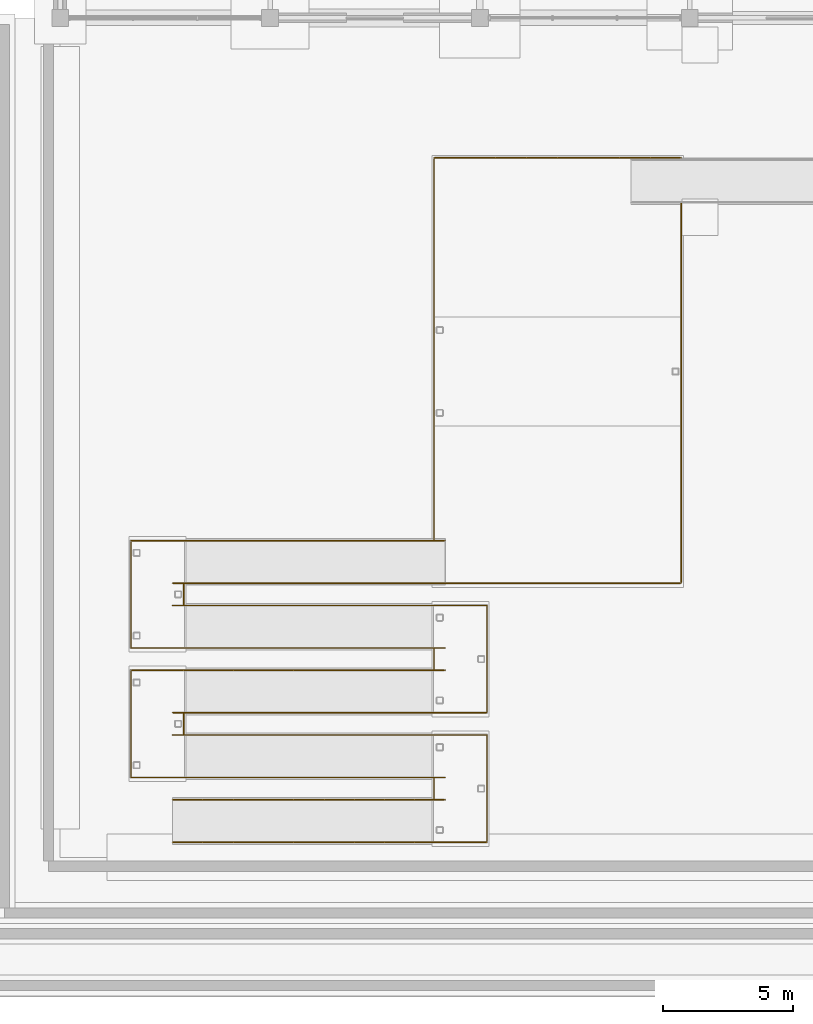
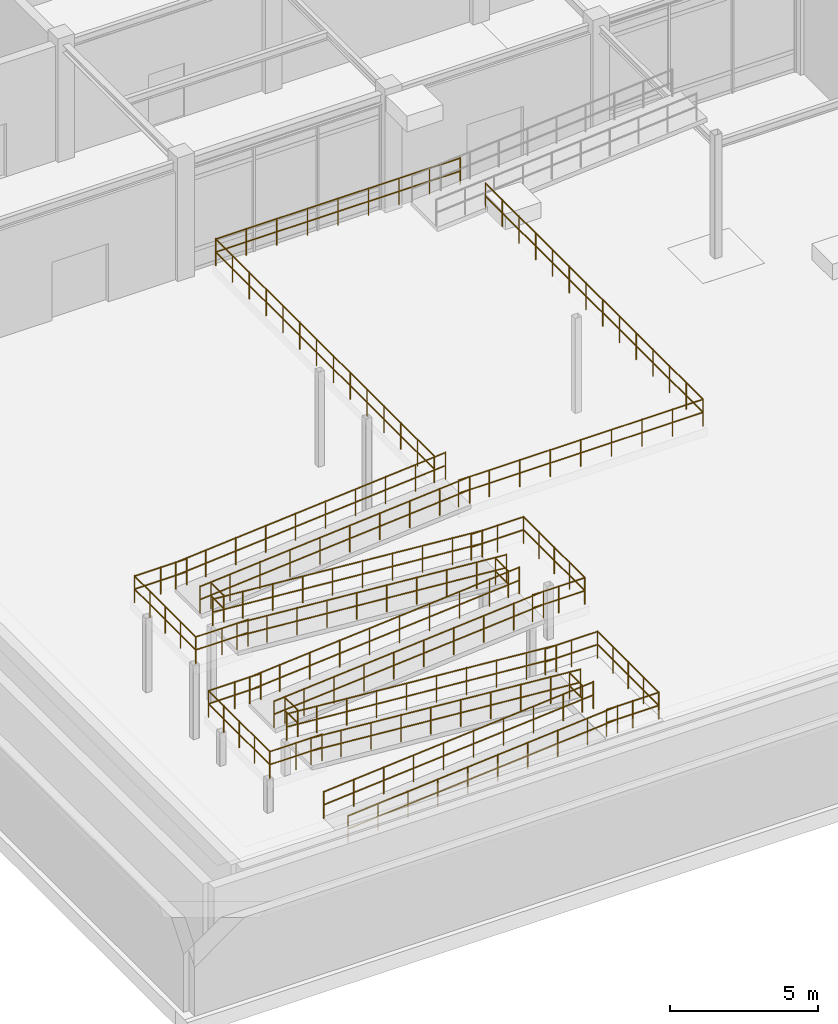
# One storey, part 58 of 67: 20 railings.
"""IFC4 building model written with IfcOpenShell, lengths in metres."""

from ifc_helpers import new_model, si_unit, direction, frame, origin, origin_2d, place, context, subcontext, project, spatial, circle, extrude, material, type_object, element, save


model = new_model("IFC4")

# Units and contexts
model_context = context("Model", 3, precision=1e-05, world=origin(), true_north=direction((0.0, 1.0)))
body_context = subcontext(model_context, "Body", "Model", "MODEL_VIEW")
ifc_project = project(units=[si_unit("LENGTHUNIT", "METRE"), si_unit("AREAUNIT", "SQUARE_METRE"), si_unit("VOLUMEUNIT", "CUBIC_METRE"), si_unit("PLANEANGLEUNIT", "RADIAN"), si_unit("MASSUNIT", "GRAM", prefix="KILO")], contexts=[model_context])

# Site, building, storey
site_placement = place(None, origin())
site = spatial("IfcSite", under=ifc_project, at=site_placement, CompositionType="ELEMENT")
building_placement = place(site_placement, origin())
building = spatial("IfcBuilding", under=site, at=building_placement, Name="Vaudrelin Polytechnic", CompositionType="ELEMENT")
storey_placement = place(building_placement, frame((0.0, 0.0, -5.10009765625)))
storey = spatial("IfcBuildingStorey", under=building, at=storey_placement, Name="B1", CompositionType="ELEMENT", Elevation=-5.10009765625)

# Railings
ifc_material = material(Name="Stainless steel AISI 316L", Category="steel")
railing_type = type_object("IfcRailingType", Name="ENV-GR-TER", PredefinedType="GUARDRAIL", material=ifc_material)
railing_1_placement = place(storey_placement, frame((14.429931640625, 0.580078125, 0.85009765625)))
element("IfcRailing", 1, at=railing_1_placement, inside=storey, type_object=railing_type, Name="Forecourt ramp landing 1 outer guardrail", PredefinedType="GUARDRAIL", context=body_context, shape_type="SweptSolid", body=[
    extrude(circle(Radius=0.02392578125, at=origin_2d()), frame((0.023193359375, 0.0, 1.09619140625), z_axis=(1.0, 0.0, 0.0), x_axis=(0.0, 1.0, 0.0)), (0.0, 0.0, 1.0), 1.993896484375),
    extrude(circle(Radius=0.02392578125, at=origin_2d()), frame((0.023193359375, 0.0, 0.56005859375), z_axis=(1.0, 0.0, 0.0), x_axis=(0.0, 1.0, 0.0)), (0.0, 0.0, 1.0), 1.993896484375),
    extrude(circle(Radius=0.02392578125, at=origin_2d()), frame((2.0400390625, 0.023193359375, 1.09619140625), z_axis=(0.0, 1.0, 0.0), x_axis=(-1.0, 0.0, 0.0)), (0.0, 0.0, 1.0), 4.09375),
    extrude(circle(Radius=0.02392578125, at=origin_2d()), frame((2.0400390625, 0.023193359375, 0.56005859375), z_axis=(0.0, 1.0, 0.0), x_axis=(-1.0, 0.0, 0.0)), (0.0, 0.0, 1.0), 4.09375),
    extrude(circle(Radius=0.02392578125, at=origin_2d()), frame((2.016845703125, 4.139892578125, 1.09619140625), z_axis=(-1.0, 0.0, 0.0), x_axis=(0.0, -1.0, 0.0)), (0.0, 0.0, 1.0), 1.993896484375),
    extrude(circle(Radius=0.02392578125, at=origin_2d()), frame((2.016845703125, 4.139892578125, 0.56005859375), z_axis=(-1.0, 0.0, 0.0), x_axis=(0.0, -1.0, 0.0)), (0.0, 0.0, 1.0), 1.993896484375),
    extrude(circle(Radius=0.02099609375, at=origin_2d()), origin(), (0.0, 0.0, 1.0), 1.1201171875),
    extrude(circle(Radius=0.02099609375, at=origin_2d()), frame((1.02001953125, 0.0, 0.0)), (0.0, 0.0, 1.0), 1.1201171875),
    extrude(circle(Radius=0.02099609375, at=origin_2d()), frame((2.0400390625, 0.0, 0.0)), (0.0, 0.0, 1.0), 1.1201171875),
    extrude(circle(Radius=0.02099609375, at=origin_2d()), frame((2.0400390625, 1.034912109375, 0.0)), (0.0, 0.0, 1.0), 1.1201171875),
    extrude(circle(Radius=0.02099609375, at=origin_2d()), frame((2.0400390625, 2.06982421875, 0.0)), (0.0, 0.0, 1.0), 1.1201171875),
    extrude(circle(Radius=0.02099609375, at=origin_2d()), frame((2.0400390625, 3.10498046875, 0.0)), (0.0, 0.0, 1.0), 1.1201171875),
    extrude(circle(Radius=0.02099609375, at=origin_2d()), frame((2.0400390625, 4.139892578125, 0.0)), (0.0, 0.0, 1.0), 1.1201171875),
    extrude(circle(Radius=0.02099609375, at=origin_2d()), frame((1.02001953125, 4.139892578125, 0.0)), (0.0, 0.0, 1.0), 1.1201171875),
    extrude(circle(Radius=0.02099609375, at=origin_2d()), frame((0.0, 4.139892578125, 0.0)), (0.0, 0.0, 1.0), 1.1201171875),
])
railing_2_placement = place(storey_placement, frame((14.429931640625, 2.219970703125, 0.85009765625)))
element("IfcRailing", 2, at=railing_2_placement, inside=storey, type_object=railing_type, Name="Forecourt ramp landing 1 turnaround guardrail", PredefinedType="GUARDRAIL", context=body_context, shape_type="SweptSolid", body=[
    extrude(circle(Radius=0.02392578125, at=origin_2d()), frame((0.0, 0.023193359375, 1.09619140625), z_axis=(0.0, 1.0, 0.0), x_axis=(-1.0, 0.0, 0.0)), (0.0, 0.0, 1.0), 0.81396484375),
    extrude(circle(Radius=0.02392578125, at=origin_2d()), frame((0.0, 0.023193359375, 0.56005859375), z_axis=(0.0, 1.0, 0.0), x_axis=(-1.0, 0.0, 0.0)), (0.0, 0.0, 1.0), 0.81396484375),
    extrude(circle(Radius=0.02099609375, at=origin_2d()), origin(), (0.0, 0.0, 1.0), 1.1201171875),
    extrude(circle(Radius=0.02099609375, at=origin_2d()), frame((0.0, 0.860107421875, 0.0)), (0.0, 0.0, 1.0), 1.1201171875),
])
for number, where, name in (
    (3, (4.340087890625, 0.580078125, 0.0), "Forecourt ramp flight 1 south guardrail"),
    (4, (4.340087890625, 2.219970703125, 0.0), "Forecourt ramp flight 1 north guardrail"),
):
    element("IfcRailing", number, at=place(storey_placement, frame(where)), inside=storey, type_object=railing_type, Name=name, PredefinedType="GUARDRAIL", context=body_context, shape_type="SweptSolid", body=[
        extrude(circle(Radius=0.02392578125, at=origin_2d()), frame((0.02294921875, 0.0, 1.097900390625), z_axis=(0.99675096811, 0.0, 0.080545065467), x_axis=(0.0, 1.0, 0.0)), (0.0, 0.0, 1.0), 10.508056640625),
        extrude(circle(Radius=0.02392578125, at=origin_2d()), frame((0.02294921875, 0.0, 0.56201171875), z_axis=(0.99675096811, 0.0, 0.080545065467), x_axis=(0.0, 1.0, 0.0)), (0.0, 0.0, 1.0), 10.508056640625),
        extrude(circle(Radius=0.02099609375, at=origin_2d()), origin(), (0.0, 0.0, 1.0), 1.1201171875),
        extrude(circle(Radius=0.02099609375, at=origin_2d()), frame((1.1689453125, 0.0, 0.094482421875)), (0.0, 0.0, 1.0), 1.1201171875),
        extrude(circle(Radius=0.02099609375, at=origin_2d()), frame((2.337890625, 0.0, 0.18896484375)), (0.0, 0.0, 1.0), 1.1201171875),
        extrude(circle(Radius=0.02099609375, at=origin_2d()), frame((3.506591796875, 0.0, 0.283447265625)), (0.0, 0.0, 1.0), 1.1201171875),
        extrude(circle(Radius=0.02099609375, at=origin_2d()), frame((4.675537109375, 0.0, 0.3779296875)), (0.0, 0.0, 1.0), 1.1201171875),
        extrude(circle(Radius=0.02099609375, at=origin_2d()), frame((5.844482421875, 0.0, 0.47216796875)), (0.0, 0.0, 1.0), 1.1201171875),
        extrude(circle(Radius=0.02099609375, at=origin_2d()), frame((7.013427734375, 0.0, 0.566650390625)), (0.0, 0.0, 1.0), 1.1201171875),
        extrude(circle(Radius=0.02099609375, at=origin_2d()), frame((8.18212890625, 0.0, 0.6611328125)), (0.0, 0.0, 1.0), 1.1201171875),
        extrude(circle(Radius=0.02099609375, at=origin_2d()), frame((9.35107421875, 0.0, 0.755615234375)), (0.0, 0.0, 1.0), 1.1201171875),
        extrude(circle(Radius=0.02099609375, at=origin_2d()), frame((10.52001953125, 0.0, 0.85009765625)), (0.0, 0.0, 1.0), 1.1201171875),
    ])
railing_3_placement = place(storey_placement, frame((4.77001953125, 3.080078125, 1.7001953125)))
element("IfcRailing", 5, at=railing_3_placement, inside=storey, type_object=railing_type, Name="Forecourt ramp landing 2 outer guardrail", PredefinedType="GUARDRAIL", context=body_context, shape_type="SweptSolid", body=[
    extrude(circle(Radius=0.02392578125, at=origin_2d()), frame((-0.023193359375, 0.0, 1.09619140625), z_axis=(-1.0, 0.0, 0.0), x_axis=(0.0, -1.0, 0.0)), (0.0, 0.0, 1.0), 1.993896484375),
    extrude(circle(Radius=0.02392578125, at=origin_2d()), frame((-0.023193359375, 0.0, 0.56005859375), z_axis=(-1.0, 0.0, 0.0), x_axis=(0.0, -1.0, 0.0)), (0.0, 0.0, 1.0), 1.993896484375),
    extrude(circle(Radius=0.02392578125, at=origin_2d()), frame((-2.0400390625, 0.023193359375, 1.09619140625), z_axis=(0.0, 1.0, 0.0), x_axis=(-1.0, 0.0, 0.0)), (0.0, 0.0, 1.0), 4.09375),
    extrude(circle(Radius=0.02392578125, at=origin_2d()), frame((-2.0400390625, 0.023193359375, 0.56005859375), z_axis=(0.0, 1.0, 0.0), x_axis=(-1.0, 0.0, 0.0)), (0.0, 0.0, 1.0), 4.09375),
    extrude(circle(Radius=0.02392578125, at=origin_2d()), frame((-2.016845703125, 4.139892578125, 1.09619140625), z_axis=(1.0, 0.0, 0.0), x_axis=(0.0, 1.0, 0.0)), (0.0, 0.0, 1.0), 1.993896484375),
    extrude(circle(Radius=0.02392578125, at=origin_2d()), frame((-2.016845703125, 4.139892578125, 0.56005859375), z_axis=(1.0, 0.0, 0.0), x_axis=(0.0, 1.0, 0.0)), (0.0, 0.0, 1.0), 1.993896484375),
    extrude(circle(Radius=0.02099609375, at=origin_2d()), origin(), (0.0, 0.0, 1.0), 1.1201171875),
    extrude(circle(Radius=0.02099609375, at=origin_2d()), frame((-1.02001953125, 0.0, 0.0)), (0.0, 0.0, 1.0), 1.1201171875),
    extrude(circle(Radius=0.02099609375, at=origin_2d()), frame((-2.0400390625, 0.0, 0.0)), (0.0, 0.0, 1.0), 1.1201171875),
    extrude(circle(Radius=0.02099609375, at=origin_2d()), frame((-2.0400390625, 1.034912109375, 0.0)), (0.0, 0.0, 1.0), 1.1201171875),
    extrude(circle(Radius=0.02099609375, at=origin_2d()), frame((-2.0400390625, 2.06982421875, 0.0)), (0.0, 0.0, 1.0), 1.1201171875),
    extrude(circle(Radius=0.02099609375, at=origin_2d()), frame((-2.0400390625, 3.10498046875, 0.0)), (0.0, 0.0, 1.0), 1.1201171875),
    extrude(circle(Radius=0.02099609375, at=origin_2d()), frame((-2.0400390625, 4.139892578125, 0.0)), (0.0, 0.0, 1.0), 1.1201171875),
    extrude(circle(Radius=0.02099609375, at=origin_2d()), frame((-1.02001953125, 4.139892578125, 0.0)), (0.0, 0.0, 1.0), 1.1201171875),
    extrude(circle(Radius=0.02099609375, at=origin_2d()), frame((0.0, 4.139892578125, 0.0)), (0.0, 0.0, 1.0), 1.1201171875),
])
railing_4_placement = place(storey_placement, frame((4.77001953125, 4.719970703125, 1.7001953125)))
element("IfcRailing", 6, at=railing_4_placement, inside=storey, type_object=railing_type, Name="Forecourt ramp landing 2 turnaround guardrail", PredefinedType="GUARDRAIL", context=body_context, shape_type="SweptSolid", body=[
    extrude(circle(Radius=0.02392578125, at=origin_2d()), frame((0.0, 0.023193359375, 1.09619140625), z_axis=(0.0, 1.0, 0.0), x_axis=(-1.0, 0.0, 0.0)), (0.0, 0.0, 1.0), 0.81396484375),
    extrude(circle(Radius=0.02392578125, at=origin_2d()), frame((0.0, 0.023193359375, 0.56005859375), z_axis=(0.0, 1.0, 0.0), x_axis=(-1.0, 0.0, 0.0)), (0.0, 0.0, 1.0), 0.81396484375),
    extrude(circle(Radius=0.02099609375, at=origin_2d()), origin(), (0.0, 0.0, 1.0), 1.1201171875),
    extrude(circle(Radius=0.02099609375, at=origin_2d()), frame((0.0, 0.860107421875, 0.0)), (0.0, 0.0, 1.0), 1.1201171875),
])
for number, where, name in (
    (7, (14.860107421875, 3.080078125, 0.85009765625), "Forecourt ramp flight 2 south guardrail"),
    (8, (14.860107421875, 4.719970703125, 0.85009765625), "Forecourt ramp flight 2 north guardrail"),
):
    element("IfcRailing", number, at=place(storey_placement, frame(where)), inside=storey, type_object=railing_type, Name=name, PredefinedType="GUARDRAIL", context=body_context, shape_type="SweptSolid", body=[
        extrude(circle(Radius=0.02392578125, at=origin_2d()), frame((-0.02294921875, 0.0, 1.097900390625), z_axis=(-0.99675096811, 0.0, 0.080545065467), x_axis=(0.0, -1.0, 0.0)), (0.0, 0.0, 1.0), 10.508056640625),
        extrude(circle(Radius=0.02392578125, at=origin_2d()), frame((-0.02294921875, 0.0, 0.56201171875), z_axis=(-0.99675096811, 0.0, 0.080545065467), x_axis=(0.0, -1.0, 0.0)), (0.0, 0.0, 1.0), 10.508056640625),
        extrude(circle(Radius=0.02099609375, at=origin_2d()), origin(), (0.0, 0.0, 1.0), 1.1201171875),
        extrude(circle(Radius=0.02099609375, at=origin_2d()), frame((-1.1689453125, 0.0, 0.094482421875)), (0.0, 0.0, 1.0), 1.1201171875),
        extrude(circle(Radius=0.02099609375, at=origin_2d()), frame((-2.337890625, 0.0, 0.18896484375)), (0.0, 0.0, 1.0), 1.1201171875),
        extrude(circle(Radius=0.02099609375, at=origin_2d()), frame((-3.506591796875, 0.0, 0.283447265625)), (0.0, 0.0, 1.0), 1.1201171875),
        extrude(circle(Radius=0.02099609375, at=origin_2d()), frame((-4.675537109375, 0.0, 0.3779296875)), (0.0, 0.0, 1.0), 1.1201171875),
        extrude(circle(Radius=0.02099609375, at=origin_2d()), frame((-5.844482421875, 0.0, 0.47216796875)), (0.0, 0.0, 1.0), 1.1201171875),
        extrude(circle(Radius=0.02099609375, at=origin_2d()), frame((-7.013427734375, 0.0, 0.566650390625)), (0.0, 0.0, 1.0), 1.1201171875),
        extrude(circle(Radius=0.02099609375, at=origin_2d()), frame((-8.18212890625, 0.0, 0.6611328125)), (0.0, 0.0, 1.0), 1.1201171875),
        extrude(circle(Radius=0.02099609375, at=origin_2d()), frame((-9.35107421875, 0.0, 0.755615234375)), (0.0, 0.0, 1.0), 1.1201171875),
        extrude(circle(Radius=0.02099609375, at=origin_2d()), frame((-10.52001953125, 0.0, 0.85009765625)), (0.0, 0.0, 1.0), 1.1201171875),
    ])
railing_5_placement = place(storey_placement, frame((14.429931640625, 5.580078125, 2.550048828125)))
element("IfcRailing", 9, at=railing_5_placement, inside=storey, type_object=railing_type, Name="Forecourt ramp landing 3 outer guardrail", PredefinedType="GUARDRAIL", context=body_context, shape_type="SweptSolid", body=[
    extrude(circle(Radius=0.02392578125, at=origin_2d()), frame((0.023193359375, 0.0, 1.09619140625), z_axis=(1.0, 0.0, 0.0), x_axis=(0.0, 1.0, 0.0)), (0.0, 0.0, 1.0), 1.993896484375),
    extrude(circle(Radius=0.02392578125, at=origin_2d()), frame((0.023193359375, 0.0, 0.56005859375), z_axis=(1.0, 0.0, 0.0), x_axis=(0.0, 1.0, 0.0)), (0.0, 0.0, 1.0), 1.993896484375),
    extrude(circle(Radius=0.02392578125, at=origin_2d()), frame((2.0400390625, 0.023193359375, 1.09619140625), z_axis=(0.0, 1.0, 0.0), x_axis=(-1.0, 0.0, 0.0)), (0.0, 0.0, 1.0), 4.09375),
    extrude(circle(Radius=0.02392578125, at=origin_2d()), frame((2.0400390625, 0.023193359375, 0.56005859375), z_axis=(0.0, 1.0, 0.0), x_axis=(-1.0, 0.0, 0.0)), (0.0, 0.0, 1.0), 4.09375),
    extrude(circle(Radius=0.02392578125, at=origin_2d()), frame((2.016845703125, 4.139892578125, 1.09619140625), z_axis=(-1.0, 0.0, 0.0), x_axis=(0.0, -1.0, 0.0)), (0.0, 0.0, 1.0), 1.993896484375),
    extrude(circle(Radius=0.02392578125, at=origin_2d()), frame((2.016845703125, 4.139892578125, 0.56005859375), z_axis=(-1.0, 0.0, 0.0), x_axis=(0.0, -1.0, 0.0)), (0.0, 0.0, 1.0), 1.993896484375),
    extrude(circle(Radius=0.02099609375, at=origin_2d()), origin(), (0.0, 0.0, 1.0), 1.1201171875),
    extrude(circle(Radius=0.02099609375, at=origin_2d()), frame((1.02001953125, 0.0, 0.0)), (0.0, 0.0, 1.0), 1.1201171875),
    extrude(circle(Radius=0.02099609375, at=origin_2d()), frame((2.0400390625, 0.0, 0.0)), (0.0, 0.0, 1.0), 1.1201171875),
    extrude(circle(Radius=0.02099609375, at=origin_2d()), frame((2.0400390625, 1.034912109375, 0.0)), (0.0, 0.0, 1.0), 1.1201171875),
    extrude(circle(Radius=0.02099609375, at=origin_2d()), frame((2.0400390625, 2.06982421875, 0.0)), (0.0, 0.0, 1.0), 1.1201171875),
    extrude(circle(Radius=0.02099609375, at=origin_2d()), frame((2.0400390625, 3.10498046875, 0.0)), (0.0, 0.0, 1.0), 1.1201171875),
    extrude(circle(Radius=0.02099609375, at=origin_2d()), frame((2.0400390625, 4.139892578125, 0.0)), (0.0, 0.0, 1.0), 1.1201171875),
    extrude(circle(Radius=0.02099609375, at=origin_2d()), frame((1.02001953125, 4.139892578125, 0.0)), (0.0, 0.0, 1.0), 1.1201171875),
    extrude(circle(Radius=0.02099609375, at=origin_2d()), frame((0.0, 4.139892578125, 0.0)), (0.0, 0.0, 1.0), 1.1201171875),
])
railing_6_placement = place(storey_placement, frame((14.429931640625, 7.219970703125, 2.550048828125)))
element("IfcRailing", 10, at=railing_6_placement, inside=storey, type_object=railing_type, Name="Forecourt ramp landing 3 turnaround guardrail", PredefinedType="GUARDRAIL", context=body_context, shape_type="SweptSolid", body=[
    extrude(circle(Radius=0.02392578125, at=origin_2d()), frame((0.0, 0.023193359375, 1.09619140625), z_axis=(0.0, 1.0, 0.0), x_axis=(-1.0, 0.0, 0.0)), (0.0, 0.0, 1.0), 0.81396484375),
    extrude(circle(Radius=0.02392578125, at=origin_2d()), frame((0.0, 0.023193359375, 0.56005859375), z_axis=(0.0, 1.0, 0.0), x_axis=(-1.0, 0.0, 0.0)), (0.0, 0.0, 1.0), 0.81396484375),
    extrude(circle(Radius=0.02099609375, at=origin_2d()), origin(), (0.0, 0.0, 1.0), 1.1201171875),
    extrude(circle(Radius=0.02099609375, at=origin_2d()), frame((0.0, 0.860107421875, 0.0)), (0.0, 0.0, 1.0), 1.1201171875),
])
for number, where, name in (
    (11, (4.340087890625, 5.580078125, 1.7001953125), "Forecourt ramp flight 3 south guardrail"),
    (12, (4.340087890625, 7.219970703125, 1.7001953125), "Forecourt ramp flight 3 north guardrail"),
):
    element("IfcRailing", number, at=place(storey_placement, frame(where)), inside=storey, type_object=railing_type, Name=name, PredefinedType="GUARDRAIL", context=body_context, shape_type="SweptSolid", body=[
        extrude(circle(Radius=0.02392578125, at=origin_2d()), frame((0.02294921875, 0.0, 1.097900390625), z_axis=(0.996752824951, 0.0, 0.080522083631), x_axis=(0.0, 1.0, 0.0)), (0.0, 0.0, 1.0), 10.508056640625),
        extrude(circle(Radius=0.02392578125, at=origin_2d()), frame((0.02294921875, 0.0, 0.56201171875), z_axis=(0.996752824951, 0.0, 0.080522083631), x_axis=(0.0, 1.0, 0.0)), (0.0, 0.0, 1.0), 10.508056640625),
        extrude(circle(Radius=0.02099609375, at=origin_2d()), origin(), (0.0, 0.0, 1.0), 1.1201171875),
        extrude(circle(Radius=0.02099609375, at=origin_2d()), frame((1.1689453125, 0.0, 0.094482421875)), (0.0, 0.0, 1.0), 1.1201171875),
        extrude(circle(Radius=0.02099609375, at=origin_2d()), frame((2.337890625, 0.0, 0.18896484375)), (0.0, 0.0, 1.0), 1.1201171875),
        extrude(circle(Radius=0.02099609375, at=origin_2d()), frame((3.506591796875, 0.0, 0.283203125)), (0.0, 0.0, 1.0), 1.1201171875),
        extrude(circle(Radius=0.02099609375, at=origin_2d()), frame((4.675537109375, 0.0, 0.377685546875)), (0.0, 0.0, 1.0), 1.1201171875),
        extrude(circle(Radius=0.02099609375, at=origin_2d()), frame((5.844482421875, 0.0, 0.47216796875)), (0.0, 0.0, 1.0), 1.1201171875),
        extrude(circle(Radius=0.02099609375, at=origin_2d()), frame((7.013427734375, 0.0, 0.566650390625)), (0.0, 0.0, 1.0), 1.1201171875),
        extrude(circle(Radius=0.02099609375, at=origin_2d()), frame((8.18212890625, 0.0, 0.660888671875)), (0.0, 0.0, 1.0), 1.1201171875),
        extrude(circle(Radius=0.02099609375, at=origin_2d()), frame((9.35107421875, 0.0, 0.75537109375)), (0.0, 0.0, 1.0), 1.1201171875),
        extrude(circle(Radius=0.02099609375, at=origin_2d()), frame((10.52001953125, 0.0, 0.849853515625)), (0.0, 0.0, 1.0), 1.1201171875),
    ])
railing_7_placement = place(storey_placement, frame((4.77001953125, 8.080078125, 3.400146484375)))
element("IfcRailing", 13, at=railing_7_placement, inside=storey, type_object=railing_type, Name="Forecourt ramp landing 4 outer guardrail", PredefinedType="GUARDRAIL", context=body_context, shape_type="SweptSolid", body=[
    extrude(circle(Radius=0.02392578125, at=origin_2d()), frame((-0.023193359375, 0.0, 1.09619140625), z_axis=(-1.0, 0.0, 0.0), x_axis=(0.0, -1.0, 0.0)), (0.0, 0.0, 1.0), 1.993896484375),
    extrude(circle(Radius=0.02392578125, at=origin_2d()), frame((-0.023193359375, 0.0, 0.56005859375), z_axis=(-1.0, 0.0, 0.0), x_axis=(0.0, -1.0, 0.0)), (0.0, 0.0, 1.0), 1.993896484375),
    extrude(circle(Radius=0.02392578125, at=origin_2d()), frame((-2.0400390625, 0.023193359375, 1.09619140625), z_axis=(0.0, 1.0, 0.0), x_axis=(-1.0, 0.0, 0.0)), (0.0, 0.0, 1.0), 4.09375),
    extrude(circle(Radius=0.02392578125, at=origin_2d()), frame((-2.0400390625, 0.023193359375, 0.56005859375), z_axis=(0.0, 1.0, 0.0), x_axis=(-1.0, 0.0, 0.0)), (0.0, 0.0, 1.0), 4.09375),
    extrude(circle(Radius=0.02392578125, at=origin_2d()), frame((-2.016845703125, 4.139892578125, 1.09619140625), z_axis=(1.0, 0.0, 0.0), x_axis=(0.0, 1.0, 0.0)), (0.0, 0.0, 1.0), 1.993896484375),
    extrude(circle(Radius=0.02392578125, at=origin_2d()), frame((-2.016845703125, 4.139892578125, 0.56005859375), z_axis=(1.0, 0.0, 0.0), x_axis=(0.0, 1.0, 0.0)), (0.0, 0.0, 1.0), 1.993896484375),
    extrude(circle(Radius=0.02099609375, at=origin_2d()), origin(), (0.0, 0.0, 1.0), 1.1201171875),
    extrude(circle(Radius=0.02099609375, at=origin_2d()), frame((-1.02001953125, 0.0, 0.0)), (0.0, 0.0, 1.0), 1.1201171875),
    extrude(circle(Radius=0.02099609375, at=origin_2d()), frame((-2.0400390625, 0.0, 0.0)), (0.0, 0.0, 1.0), 1.1201171875),
    extrude(circle(Radius=0.02099609375, at=origin_2d()), frame((-2.0400390625, 1.034912109375, 0.0)), (0.0, 0.0, 1.0), 1.1201171875),
    extrude(circle(Radius=0.02099609375, at=origin_2d()), frame((-2.0400390625, 2.06982421875, 0.0)), (0.0, 0.0, 1.0), 1.1201171875),
    extrude(circle(Radius=0.02099609375, at=origin_2d()), frame((-2.0400390625, 3.10498046875, 0.0)), (0.0, 0.0, 1.0), 1.1201171875),
    extrude(circle(Radius=0.02099609375, at=origin_2d()), frame((-2.0400390625, 4.139892578125, 0.0)), (0.0, 0.0, 1.0), 1.1201171875),
    extrude(circle(Radius=0.02099609375, at=origin_2d()), frame((-1.02001953125, 4.139892578125, 0.0)), (0.0, 0.0, 1.0), 1.1201171875),
    extrude(circle(Radius=0.02099609375, at=origin_2d()), frame((0.0, 4.139892578125, 0.0)), (0.0, 0.0, 1.0), 1.1201171875),
])
railing_8_placement = place(storey_placement, frame((4.77001953125, 9.719970703125, 3.400146484375)))
element("IfcRailing", 14, at=railing_8_placement, inside=storey, type_object=railing_type, Name="Forecourt ramp landing 4 turnaround guardrail", PredefinedType="GUARDRAIL", context=body_context, shape_type="SweptSolid", body=[
    extrude(circle(Radius=0.02392578125, at=origin_2d()), frame((0.0, 0.023193359375, 1.09619140625), z_axis=(0.0, 1.0, 0.0), x_axis=(-1.0, 0.0, 0.0)), (0.0, 0.0, 1.0), 0.81396484375),
    extrude(circle(Radius=0.02392578125, at=origin_2d()), frame((0.0, 0.023193359375, 0.56005859375), z_axis=(0.0, 1.0, 0.0), x_axis=(-1.0, 0.0, 0.0)), (0.0, 0.0, 1.0), 0.81396484375),
    extrude(circle(Radius=0.02099609375, at=origin_2d()), origin(), (0.0, 0.0, 1.0), 1.1201171875),
    extrude(circle(Radius=0.02099609375, at=origin_2d()), frame((0.0, 0.860107421875, 0.0)), (0.0, 0.0, 1.0), 1.1201171875),
])
for number, where, name in (
    (15, (14.860107421875, 8.080078125, 2.550048828125), "Forecourt ramp flight 4 south guardrail"),
    (16, (14.860107421875, 9.719970703125, 2.550048828125), "Forecourt ramp flight 4 north guardrail"),
):
    element("IfcRailing", number, at=place(storey_placement, frame(where)), inside=storey, type_object=railing_type, Name=name, PredefinedType="GUARDRAIL", context=body_context, shape_type="SweptSolid", body=[
        extrude(circle(Radius=0.02392578125, at=origin_2d()), frame((-0.02294921875, 0.0, 1.097900390625), z_axis=(-0.99675096811, 0.0, 0.080545065467), x_axis=(0.0, -1.0, 0.0)), (0.0, 0.0, 1.0), 10.508056640625),
        extrude(circle(Radius=0.02392578125, at=origin_2d()), frame((-0.02294921875, 0.0, 0.56201171875), z_axis=(-0.99675096811, 0.0, 0.080545065467), x_axis=(0.0, -1.0, 0.0)), (0.0, 0.0, 1.0), 10.508056640625),
        extrude(circle(Radius=0.02099609375, at=origin_2d()), origin(), (0.0, 0.0, 1.0), 1.1201171875),
        extrude(circle(Radius=0.02099609375, at=origin_2d()), frame((-1.1689453125, 0.0, 0.094482421875)), (0.0, 0.0, 1.0), 1.1201171875),
        extrude(circle(Radius=0.02099609375, at=origin_2d()), frame((-2.337890625, 0.0, 0.18896484375)), (0.0, 0.0, 1.0), 1.1201171875),
        extrude(circle(Radius=0.02099609375, at=origin_2d()), frame((-3.506591796875, 0.0, 0.283447265625)), (0.0, 0.0, 1.0), 1.1201171875),
        extrude(circle(Radius=0.02099609375, at=origin_2d()), frame((-4.675537109375, 0.0, 0.3779296875)), (0.0, 0.0, 1.0), 1.1201171875),
        extrude(circle(Radius=0.02099609375, at=origin_2d()), frame((-5.844482421875, 0.0, 0.47216796875)), (0.0, 0.0, 1.0), 1.1201171875),
        extrude(circle(Radius=0.02099609375, at=origin_2d()), frame((-7.013427734375, 0.0, 0.566650390625)), (0.0, 0.0, 1.0), 1.1201171875),
        extrude(circle(Radius=0.02099609375, at=origin_2d()), frame((-8.18212890625, 0.0, 0.6611328125)), (0.0, 0.0, 1.0), 1.1201171875),
        extrude(circle(Radius=0.02099609375, at=origin_2d()), frame((-9.35107421875, 0.0, 0.755615234375)), (0.0, 0.0, 1.0), 1.1201171875),
        extrude(circle(Radius=0.02099609375, at=origin_2d()), frame((-10.52001953125, 0.0, 0.85009765625)), (0.0, 0.0, 1.0), 1.1201171875),
    ])
railing_9_placement = place(storey_placement, frame((14.429931640625, 12.219970703125, 4.25)))
element("IfcRailing", 17, at=railing_9_placement, inside=storey, type_object=railing_type, Name="Forecourt ramp landing 5 north-west guardrail", PredefinedType="GUARDRAIL", context=body_context, shape_type="SweptSolid", body=[
    extrude(circle(Radius=0.02392578125, at=origin_2d()), frame((0.0, 0.023193359375, 1.09619140625), z_axis=(0.0, 1.0, 0.0), x_axis=(-1.0, 0.0, 0.0)), (0.0, 0.0, 1.0), 14.73388671875),
    extrude(circle(Radius=0.02392578125, at=origin_2d()), frame((0.0, 0.023193359375, 0.56005859375), z_axis=(0.0, 1.0, 0.0), x_axis=(-1.0, 0.0, 0.0)), (0.0, 0.0, 1.0), 14.73388671875),
    extrude(circle(Radius=0.02392578125, at=origin_2d()), frame((0.023193359375, 14.780029296875, 1.09619140625), z_axis=(1.0, 0.0, 0.0), x_axis=(0.0, 1.0, 0.0)), (0.0, 0.0, 1.0), 9.493896484375),
    extrude(circle(Radius=0.02392578125, at=origin_2d()), frame((0.023193359375, 14.780029296875, 0.56005859375), z_axis=(1.0, 0.0, 0.0), x_axis=(0.0, 1.0, 0.0)), (0.0, 0.0, 1.0), 9.493896484375),
    extrude(circle(Radius=0.02099609375, at=origin_2d()), origin(), (0.0, 0.0, 1.0), 1.1201171875),
    extrude(circle(Radius=0.02099609375, at=origin_2d()), frame((0.0, 1.136962890625, 0.0)), (0.0, 0.0, 1.0), 1.1201171875),
    extrude(circle(Radius=0.02099609375, at=origin_2d()), frame((0.0, 2.27392578125, 0.0)), (0.0, 0.0, 1.0), 1.1201171875),
    extrude(circle(Radius=0.02099609375, at=origin_2d()), frame((0.0, 3.410888671875, 0.0)), (0.0, 0.0, 1.0), 1.1201171875),
    extrude(circle(Radius=0.02099609375, at=origin_2d()), frame((0.0, 4.547607421875, 0.0)), (0.0, 0.0, 1.0), 1.1201171875),
    extrude(circle(Radius=0.02099609375, at=origin_2d()), frame((0.0, 5.6845703125, 0.0)), (0.0, 0.0, 1.0), 1.1201171875),
    extrude(circle(Radius=0.02099609375, at=origin_2d()), frame((0.0, 6.821533203125, 0.0)), (0.0, 0.0, 1.0), 1.1201171875),
    extrude(circle(Radius=0.02099609375, at=origin_2d()), frame((0.0, 7.95849609375, 0.0)), (0.0, 0.0, 1.0), 1.1201171875),
    extrude(circle(Radius=0.02099609375, at=origin_2d()), frame((0.0, 9.095458984375, 0.0)), (0.0, 0.0, 1.0), 1.1201171875),
    extrude(circle(Radius=0.02099609375, at=origin_2d()), frame((0.0, 10.232421875, 0.0)), (0.0, 0.0, 1.0), 1.1201171875),
    extrude(circle(Radius=0.02099609375, at=origin_2d()), frame((0.0, 11.369140625, 0.0)), (0.0, 0.0, 1.0), 1.1201171875),
    extrude(circle(Radius=0.02099609375, at=origin_2d()), frame((0.0, 12.506103515625, 0.0)), (0.0, 0.0, 1.0), 1.1201171875),
    extrude(circle(Radius=0.02099609375, at=origin_2d()), frame((0.0, 13.64306640625, 0.0)), (0.0, 0.0, 1.0), 1.1201171875),
    extrude(circle(Radius=0.02099609375, at=origin_2d()), frame((0.0, 14.780029296875, 0.0)), (0.0, 0.0, 1.0), 1.1201171875),
    extrude(circle(Radius=0.02099609375, at=origin_2d()), frame((1.1923828125, 14.780029296875, 0.0)), (0.0, 0.0, 1.0), 1.1201171875),
    extrude(circle(Radius=0.02099609375, at=origin_2d()), frame((2.385009765625, 14.780029296875, 0.0)), (0.0, 0.0, 1.0), 1.1201171875),
    extrude(circle(Radius=0.02099609375, at=origin_2d()), frame((3.57763671875, 14.780029296875, 0.0)), (0.0, 0.0, 1.0), 1.1201171875),
    extrude(circle(Radius=0.02099609375, at=origin_2d()), frame((4.77001953125, 14.780029296875, 0.0)), (0.0, 0.0, 1.0), 1.1201171875),
    extrude(circle(Radius=0.02099609375, at=origin_2d()), frame((5.96240234375, 14.780029296875, 0.0)), (0.0, 0.0, 1.0), 1.1201171875),
    extrude(circle(Radius=0.02099609375, at=origin_2d()), frame((7.155029296875, 14.780029296875, 0.0)), (0.0, 0.0, 1.0), 1.1201171875),
    extrude(circle(Radius=0.02099609375, at=origin_2d()), frame((8.34765625, 14.780029296875, 0.0)), (0.0, 0.0, 1.0), 1.1201171875),
    extrude(circle(Radius=0.02099609375, at=origin_2d()), frame((9.5400390625, 14.780029296875, 0.0)), (0.0, 0.0, 1.0), 1.1201171875),
])
railing_10_placement = place(storey_placement, frame((14.429931640625, 10.580078125, 4.25)))
element("IfcRailing", 18, at=railing_10_placement, inside=storey, type_object=railing_type, Name="Forecourt ramp landing 5 south-east guardrail", PredefinedType="GUARDRAIL", context=body_context, shape_type="SweptSolid", body=[
    extrude(circle(Radius=0.02392578125, at=origin_2d()), frame((0.023193359375, 0.0, 1.09619140625), z_axis=(1.0, 0.0, 0.0), x_axis=(0.0, 1.0, 0.0)), (0.0, 0.0, 1.0), 9.493896484375),
    extrude(circle(Radius=0.02392578125, at=origin_2d()), frame((0.023193359375, 0.0, 0.56005859375), z_axis=(1.0, 0.0, 0.0), x_axis=(0.0, 1.0, 0.0)), (0.0, 0.0, 1.0), 9.493896484375),
    extrude(circle(Radius=0.02392578125, at=origin_2d()), frame((9.5400390625, 0.023193359375, 1.09619140625), z_axis=(0.0, 1.0, 0.0), x_axis=(-1.0, 0.0, 0.0)), (0.0, 0.0, 1.0), 14.65380859375),
    extrude(circle(Radius=0.02392578125, at=origin_2d()), frame((9.5400390625, 0.023193359375, 0.56005859375), z_axis=(0.0, 1.0, 0.0), x_axis=(-1.0, 0.0, 0.0)), (0.0, 0.0, 1.0), 14.65380859375),
    extrude(circle(Radius=0.02099609375, at=origin_2d()), origin(), (0.0, 0.0, 1.0), 1.1201171875),
    extrude(circle(Radius=0.02099609375, at=origin_2d()), frame((1.1923828125, 0.0, 0.0)), (0.0, 0.0, 1.0), 1.1201171875),
    extrude(circle(Radius=0.02099609375, at=origin_2d()), frame((2.385009765625, 0.0, 0.0)), (0.0, 0.0, 1.0), 1.1201171875),
    extrude(circle(Radius=0.02099609375, at=origin_2d()), frame((3.57763671875, 0.0, 0.0)), (0.0, 0.0, 1.0), 1.1201171875),
    extrude(circle(Radius=0.02099609375, at=origin_2d()), frame((4.77001953125, 0.0, 0.0)), (0.0, 0.0, 1.0), 1.1201171875),
    extrude(circle(Radius=0.02099609375, at=origin_2d()), frame((5.96240234375, 0.0, 0.0)), (0.0, 0.0, 1.0), 1.1201171875),
    extrude(circle(Radius=0.02099609375, at=origin_2d()), frame((7.155029296875, 0.0, 0.0)), (0.0, 0.0, 1.0), 1.1201171875),
    extrude(circle(Radius=0.02099609375, at=origin_2d()), frame((8.34765625, 0.0, 0.0)), (0.0, 0.0, 1.0), 1.1201171875),
    extrude(circle(Radius=0.02099609375, at=origin_2d()), frame((9.5400390625, 0.0, 0.0)), (0.0, 0.0, 1.0), 1.1201171875),
    extrude(circle(Radius=0.02099609375, at=origin_2d()), frame((9.5400390625, 1.130859375, 0.0)), (0.0, 0.0, 1.0), 1.1201171875),
    extrude(circle(Radius=0.02099609375, at=origin_2d()), frame((9.5400390625, 2.261474609375, 0.0)), (0.0, 0.0, 1.0), 1.1201171875),
    extrude(circle(Radius=0.02099609375, at=origin_2d()), frame((9.5400390625, 3.392333984375, 0.0)), (0.0, 0.0, 1.0), 1.1201171875),
    extrude(circle(Radius=0.02099609375, at=origin_2d()), frame((9.5400390625, 4.52294921875, 0.0)), (0.0, 0.0, 1.0), 1.1201171875),
    extrude(circle(Radius=0.02099609375, at=origin_2d()), frame((9.5400390625, 5.65380859375, 0.0)), (0.0, 0.0, 1.0), 1.1201171875),
    extrude(circle(Radius=0.02099609375, at=origin_2d()), frame((9.5400390625, 6.78466796875, 0.0)), (0.0, 0.0, 1.0), 1.1201171875),
    extrude(circle(Radius=0.02099609375, at=origin_2d()), frame((9.5400390625, 7.915283203125, 0.0)), (0.0, 0.0, 1.0), 1.1201171875),
    extrude(circle(Radius=0.02099609375, at=origin_2d()), frame((9.5400390625, 9.046142578125, 0.0)), (0.0, 0.0, 1.0), 1.1201171875),
    extrude(circle(Radius=0.02099609375, at=origin_2d()), frame((9.5400390625, 10.177001953125, 0.0)), (0.0, 0.0, 1.0), 1.1201171875),
    extrude(circle(Radius=0.02099609375, at=origin_2d()), frame((9.5400390625, 11.3076171875, 0.0)), (0.0, 0.0, 1.0), 1.1201171875),
    extrude(circle(Radius=0.02099609375, at=origin_2d()), frame((9.5400390625, 12.4384765625, 0.0)), (0.0, 0.0, 1.0), 1.1201171875),
    extrude(circle(Radius=0.02099609375, at=origin_2d()), frame((9.5400390625, 13.569091796875, 0.0)), (0.0, 0.0, 1.0), 1.1201171875),
    extrude(circle(Radius=0.02099609375, at=origin_2d()), frame((9.5400390625, 14.699951171875, 0.0)), (0.0, 0.0, 1.0), 1.1201171875),
])
for number, where, name in (
    (19, (4.340087890625, 10.580078125, 3.400146484375), "Forecourt ramp flight 5 south guardrail"),
    (20, (4.340087890625, 12.219970703125, 3.400146484375), "Forecourt ramp flight 5 north guardrail"),
):
    element("IfcRailing", number, at=place(storey_placement, frame(where)), inside=storey, type_object=railing_type, Name=name, PredefinedType="GUARDRAIL", context=body_context, shape_type="SweptSolid", body=[
        extrude(circle(Radius=0.02392578125, at=origin_2d()), frame((0.02294921875, 0.0, 1.097900390625), z_axis=(0.996752824951, 0.0, 0.080522083631), x_axis=(0.0, 1.0, 0.0)), (0.0, 0.0, 1.0), 10.508056640625),
        extrude(circle(Radius=0.02392578125, at=origin_2d()), frame((0.02294921875, 0.0, 0.56201171875), z_axis=(0.996752824951, 0.0, 0.080522083631), x_axis=(0.0, 1.0, 0.0)), (0.0, 0.0, 1.0), 10.508056640625),
        extrude(circle(Radius=0.02099609375, at=origin_2d()), origin(), (0.0, 0.0, 1.0), 1.1201171875),
        extrude(circle(Radius=0.02099609375, at=origin_2d()), frame((1.1689453125, 0.0, 0.094482421875)), (0.0, 0.0, 1.0), 1.1201171875),
        extrude(circle(Radius=0.02099609375, at=origin_2d()), frame((2.337890625, 0.0, 0.18896484375)), (0.0, 0.0, 1.0), 1.1201171875),
        extrude(circle(Radius=0.02099609375, at=origin_2d()), frame((3.506591796875, 0.0, 0.283203125)), (0.0, 0.0, 1.0), 1.1201171875),
        extrude(circle(Radius=0.02099609375, at=origin_2d()), frame((4.675537109375, 0.0, 0.377685546875)), (0.0, 0.0, 1.0), 1.1201171875),
        extrude(circle(Radius=0.02099609375, at=origin_2d()), frame((5.844482421875, 0.0, 0.47216796875)), (0.0, 0.0, 1.0), 1.1201171875),
        extrude(circle(Radius=0.02099609375, at=origin_2d()), frame((7.013427734375, 0.0, 0.566650390625)), (0.0, 0.0, 1.0), 1.1201171875),
        extrude(circle(Radius=0.02099609375, at=origin_2d()), frame((8.18212890625, 0.0, 0.660888671875)), (0.0, 0.0, 1.0), 1.1201171875),
        extrude(circle(Radius=0.02099609375, at=origin_2d()), frame((9.35107421875, 0.0, 0.75537109375)), (0.0, 0.0, 1.0), 1.1201171875),
        extrude(circle(Radius=0.02099609375, at=origin_2d()), frame((10.52001953125, 0.0, 0.849853515625)), (0.0, 0.0, 1.0), 1.1201171875),
    ])

save(model, "model.ifc")
